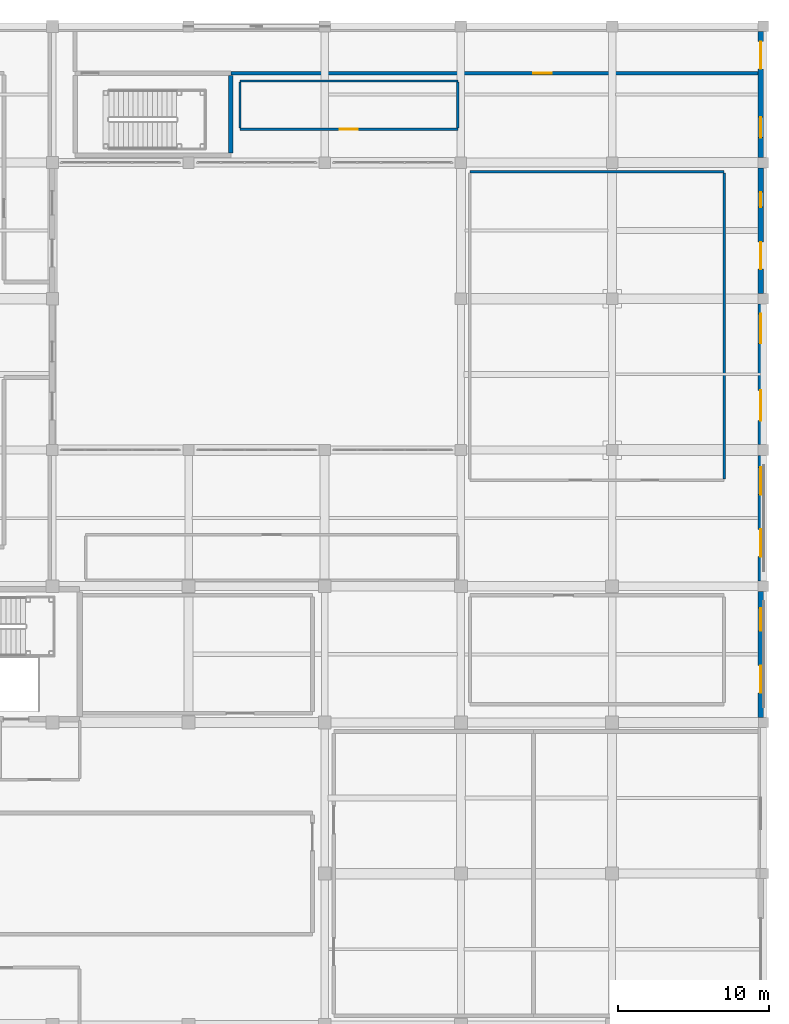
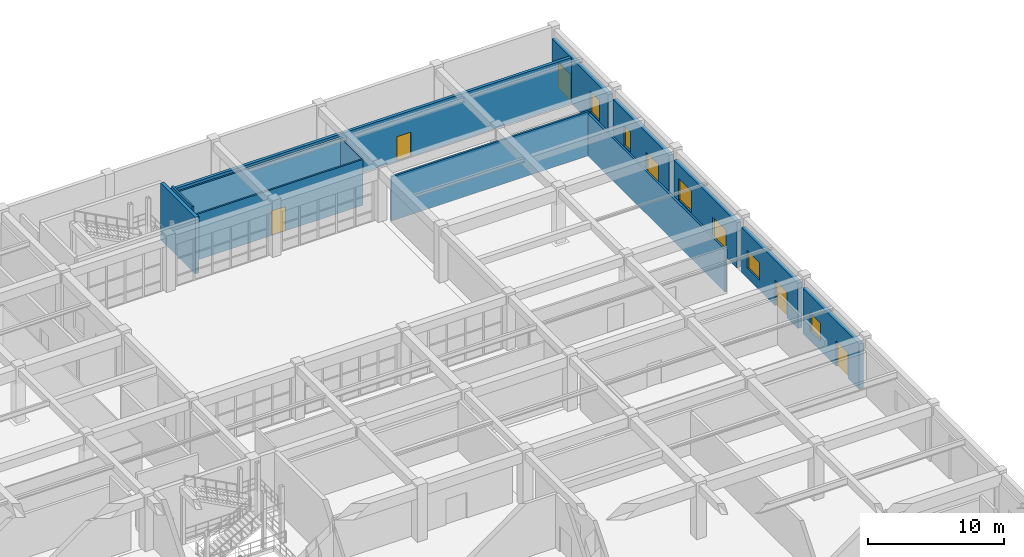
# One storey, part 113 of 128: 13 walls, 7 doors, 5 windows, 12 openings.
"""IFC4 building model written with IfcOpenShell, lengths in metres."""

from ifc_helpers import new_model, si_unit, direction, frame, frame_2d, origin, place, context, subcontext, project, spatial, rectangle, extrude, material, layer, layer_set, type_object, element, fill, save


model = new_model("IFC4")

# Units and contexts
model_context = context("Model", 3, precision=1e-05, world=origin(), true_north=direction((0.0, 1.0)))
body_context = subcontext(model_context, "Body", "Model", "MODEL_VIEW")
ifc_project = project(units=[si_unit("LENGTHUNIT", "METRE"), si_unit("AREAUNIT", "SQUARE_METRE"), si_unit("VOLUMEUNIT", "CUBIC_METRE"), si_unit("PLANEANGLEUNIT", "RADIAN"), si_unit("MASSUNIT", "GRAM", prefix="KILO")], contexts=[model_context])

# Site, building, storey
site_placement = place(None, origin())
site = spatial("IfcSite", under=ifc_project, at=site_placement, CompositionType="ELEMENT")
building_placement = place(site_placement, origin())
building = spatial("IfcBuilding", under=site, at=building_placement, Name="Miravela Opera House", CompositionType="ELEMENT")
storey_placement = place(building_placement, origin())
storey = spatial("IfcBuildingStorey", under=building, at=storey_placement, Name="L00", CompositionType="ELEMENT", Elevation=0.0)

# Wall, openings, door, window
ifc_material_1 = material(Name="Dark Guatemalan volcanic basalt stone ashlar", Category="masonry")
ifc_layer_1 = layer(ifc_material_1, 0.360107421875)
ifc_layer_set_1 = layer_set([ifc_layer_1])
wall_type_1 = type_object("IfcWallType", Name="ARC-EW-BASALT-360", PredefinedType="STANDARD", material=ifc_layer_set_1)
wall_1_placement = place(storey_placement, frame((163.820068359375, 66.324951171875, 0.0), z_axis=(0.0, 0.0, 1.0), x_axis=(0.0, 1.0, 0.0)))
wall_1 = element("IfcWall", 1, at=wall_1_placement, inside=storey, type_object=wall_type_1, Name="North Stage Street Exit Wall", PredefinedType="STANDARD", context=body_context, shape_type="SweptSolid", body=[
    extrude(rectangle(XDim=8.324951171875, YDim=0.360107421875, at=frame_2d((4.16259765625, 0.0))), origin(), (0.0, 0.0, 1.0), 4.080078125),
])
opening_1_placement = place(wall_1_placement, frame((1.625, 0.0, 0.0)))
opening_1 = element("IfcOpeningElement", 2, at=opening_1_placement, cuts=wall_1, Name="Opening EX-02", PredefinedType="OPENING", context=body_context, shape_type="SweptSolid", body=[
    extrude(rectangle(XDim=1.800048828125, YDim=2.300048828125, at=frame_2d((0.89990234375, 1.14990234375))), frame((0.0, 0.18994140625, 0.0), z_axis=(0.0, -1.0, 0.0), x_axis=(1.0, 0.0, 0.0)), (0.0, 0.0, 1.0), 0.380126953125),
])
opening_2_placement = place(wall_1_placement, frame((5.72509765625, 0.0, 0.89990234375)))
opening_2 = element("IfcOpeningElement", 3, at=opening_2_placement, cuts=wall_1, Name="Opening W-12", PredefinedType="OPENING", context=body_context, shape_type="SweptSolid", body=[
    extrude(rectangle(XDim=1.5, YDim=1.60009765625, at=frame_2d((0.75, 0.800048828125))), frame((0.0, 0.18994140625, 0.0), z_axis=(0.0, -1.0, 0.0), x_axis=(1.0, 0.0, 0.0)), (0.0, 0.0, 1.0), 0.380126953125),
])
ifc_material_2 = material(Name="Anodised architectural bronze aluminium 6063-T6", Category="aluminium")
door_type_1 = type_object("IfcDoorType", Name="ARC-EXD-1800X2300", OperationType="NOTDEFINED", PredefinedType="DOOR", material=ifc_material_2)
door_1_placement = place(opening_1_placement, frame((1.800048828125, 0.0, 0.0), z_axis=(0.0, 0.0, 1.0), x_axis=(-1.0, 0.0, 0.0)))
door_1 = element("IfcDoor", 4, at=door_1_placement, inside=storey, type_object=door_type_1, Name="North Stage Street Exit EXD-L00-014", OperationType="DOUBLE_DOOR_SINGLE_SWING", OverallHeight=2.300048828125, OverallWidth=1.800048828125, PredefinedType="DOOR", context=body_context, shape_type="SweptSolid", body=[
    extrude(rectangle(XDim=1.800048828125, YDim=2.300048828125, at=frame_2d((0.89990234375, 1.14990234375))), frame((0.0, 0.02490234375, 0.0), z_axis=(0.0, -1.0, 0.0), x_axis=(1.0, 0.0, 0.0)), (0.0, 0.0, 1.0), 0.050048828125),
])
fill(opening_1, door_1)
ifc_material_3 = material(Name="Bronze-anodised aluminium and acoustic low-E glass", Category="aluminium")
window_type_1 = type_object("IfcWindowType", Name="ARC-WIN-12", PartitioningType="DOUBLE_PANEL_VERTICAL", PredefinedType="WINDOW", material=ifc_material_3)
window_1_placement = place(opening_2_placement, origin())
window_1 = element("IfcWindow", 5, at=window_1_placement, inside=storey, type_object=window_type_1, Name="Window W-12 #009", OverallHeight=1.60009765625, OverallWidth=1.5, PartitioningType="DOUBLE_PANEL_VERTICAL", PredefinedType="WINDOW", context=body_context, shape_type="SweptSolid", body=[
    extrude(rectangle(XDim=1.5, YDim=1.60009765625, at=frame_2d((0.75, 0.800048828125))), frame((0.0, 0.030029296875, 0.0), z_axis=(0.0, -1.0, 0.0), x_axis=(1.0, 0.0, 0.0)), (0.0, 0.0, 1.0), 0.06005859375),
])
fill(opening_2, window_1)

wall_2_placement = place(storey_placement, frame((163.820068359375, 75.35009765625, 0.0), z_axis=(0.0, 0.0, 1.0), x_axis=(0.0, 1.0, 0.0)))
wall_2 = element("IfcWall", 6, at=wall_2_placement, inside=storey, type_object=wall_type_1, Name="East Rehearsal Wing Exit 1 Wall", PredefinedType="STANDARD", context=body_context, shape_type="SweptSolid", body=[
    extrude(rectangle(XDim=8.2998046875, YDim=0.360107421875, at=frame_2d((4.14990234375, 0.0))), origin(), (0.0, 0.0, 1.0), 4.080078125),
])
opening_3_placement = place(wall_2_placement, frame((1.60009765625, 0.0, 0.0)))
opening_3 = element("IfcOpeningElement", 7, at=opening_3_placement, cuts=wall_2, Name="Opening EX-02", PredefinedType="OPENING", context=body_context, shape_type="SweptSolid", body=[
    extrude(rectangle(XDim=1.800048828125, YDim=2.300048828125, at=frame_2d((0.89990234375, 1.14990234375))), frame((0.0, 0.18994140625, 0.0), z_axis=(0.0, -1.0, 0.0), x_axis=(1.0, 0.0, 0.0)), (0.0, 0.0, 1.0), 0.380126953125),
])
opening_4_placement = place(wall_2_placement, frame((5.699951171875, 0.0, 0.89990234375)))
opening_4 = element("IfcOpeningElement", 8, at=opening_4_placement, cuts=wall_2, Name="Opening W-13", PredefinedType="OPENING", context=body_context, shape_type="SweptSolid", body=[
    extrude(rectangle(XDim=1.800048828125, YDim=1.60009765625, at=frame_2d((0.89990234375, 0.800048828125))), frame((0.0, 0.18994140625, 0.0), z_axis=(0.0, -1.0, 0.0), x_axis=(1.0, 0.0, 0.0)), (0.0, 0.0, 1.0), 0.380126953125),
])
door_2_placement = place(opening_3_placement, frame((1.800048828125, 0.0, 0.0), z_axis=(0.0, 0.0, 1.0), x_axis=(-1.0, 0.0, 0.0)))
door_2 = element("IfcDoor", 9, at=door_2_placement, inside=storey, type_object=door_type_1, Name="East Rehearsal Wing Exit 1 EXD-L00-015", OperationType="DOUBLE_DOOR_SINGLE_SWING", OverallHeight=2.300048828125, OverallWidth=1.800048828125, PredefinedType="DOOR", context=body_context, shape_type="SweptSolid", body=[
    extrude(rectangle(XDim=1.800048828125, YDim=2.300048828125, at=frame_2d((0.89990234375, 1.14990234375))), frame((0.0, 0.02490234375, 0.0), z_axis=(0.0, -1.0, 0.0), x_axis=(1.0, 0.0, 0.0)), (0.0, 0.0, 1.0), 0.050048828125),
])
fill(opening_3, door_2)
window_type_2 = type_object("IfcWindowType", Name="ARC-WIN-13", PartitioningType="DOUBLE_PANEL_VERTICAL", PredefinedType="WINDOW", material=ifc_material_3)
window_2_placement = place(opening_4_placement, origin())
window_2 = element("IfcWindow", 10, at=window_2_placement, inside=storey, type_object=window_type_2, Name="Window W-13 #010", OverallHeight=1.60009765625, OverallWidth=1.800048828125, PartitioningType="DOUBLE_PANEL_VERTICAL", PredefinedType="WINDOW", context=body_context, shape_type="SweptSolid", body=[
    extrude(rectangle(XDim=1.800048828125, YDim=1.60009765625, at=frame_2d((0.89990234375, 0.800048828125))), frame((0.0, 0.030029296875, 0.0), z_axis=(0.0, -1.0, 0.0), x_axis=(1.0, 0.0, 0.0)), (0.0, 0.0, 1.0), 0.06005859375),
])
fill(opening_4, window_2)

wall_3_placement = place(storey_placement, frame((163.820068359375, 94.35009765625, 0.0), z_axis=(0.0, 0.0, 1.0), x_axis=(0.0, 1.0, 0.0)))
wall_3 = element("IfcWall", 11, at=wall_3_placement, inside=storey, type_object=wall_type_1, Name="East Rehearsal Wing Exit 2 Wall", PredefinedType="STANDARD", context=body_context, shape_type="SweptSolid", body=[
    extrude(rectangle(XDim=8.2998046875, YDim=0.360107421875, at=frame_2d((4.14990234375, 0.0))), origin(), (0.0, 0.0, 1.0), 4.080078125),
])
opening_5_placement = place(wall_3_placement, frame((1.60009765625, 0.0, 0.0)))
opening_5 = element("IfcOpeningElement", 12, at=opening_5_placement, cuts=wall_3, Name="Opening EX-02", PredefinedType="OPENING", context=body_context, shape_type="SweptSolid", body=[
    extrude(rectangle(XDim=1.800048828125, YDim=2.300048828125, at=frame_2d((0.89990234375, 1.14990234375))), frame((0.0, 0.18994140625, 0.0), z_axis=(0.0, -1.0, 0.0), x_axis=(1.0, 0.0, 0.0)), (0.0, 0.0, 1.0), 0.380126953125),
])
opening_6_placement = place(wall_3_placement, frame((5.699951171875, 0.0, 0.89990234375)))
opening_6 = element("IfcOpeningElement", 13, at=opening_6_placement, cuts=wall_3, Name="Opening W-15", PredefinedType="OPENING", context=body_context, shape_type="SweptSolid", body=[
    extrude(rectangle(XDim=1.0, YDim=1.800048828125, at=frame_2d((0.5, 0.89990234375))), frame((0.0, 0.18994140625, 0.0), z_axis=(0.0, -1.0, 0.0), x_axis=(1.0, 0.0, 0.0)), (0.0, 0.0, 1.0), 0.380126953125),
])
door_3_placement = place(opening_5_placement, frame((1.800048828125, 0.0, 0.0), z_axis=(0.0, 0.0, 1.0), x_axis=(-1.0, 0.0, 0.0)))
door_3 = element("IfcDoor", 14, at=door_3_placement, inside=storey, type_object=door_type_1, Name="East Rehearsal Wing Exit 2 EXD-L00-016", OperationType="DOUBLE_DOOR_SINGLE_SWING", OverallHeight=2.300048828125, OverallWidth=1.800048828125, PredefinedType="DOOR", context=body_context, shape_type="SweptSolid", body=[
    extrude(rectangle(XDim=1.800048828125, YDim=2.300048828125, at=frame_2d((0.89990234375, 1.14990234375))), frame((0.0, 0.02490234375, 0.0), z_axis=(0.0, -1.0, 0.0), x_axis=(1.0, 0.0, 0.0)), (0.0, 0.0, 1.0), 0.050048828125),
])
fill(opening_5, door_3)
window_type_3 = type_object("IfcWindowType", Name="ARC-WIN-15", PartitioningType="SINGLE_PANEL", PredefinedType="WINDOW", material=ifc_material_3)
window_3_placement = place(opening_6_placement, origin())
window_3 = element("IfcWindow", 15, at=window_3_placement, inside=storey, type_object=window_type_3, Name="Window W-15 #011", OverallHeight=1.800048828125, OverallWidth=1.0, PartitioningType="SINGLE_PANEL", PredefinedType="WINDOW", context=body_context, shape_type="SweptSolid", body=[
    extrude(rectangle(XDim=1.0, YDim=1.800048828125, at=frame_2d((0.5, 0.89990234375))), frame((0.0, 0.030029296875, 0.0), z_axis=(0.0, -1.0, 0.0), x_axis=(1.0, 0.0, 0.0)), (0.0, 0.0, 1.0), 0.06005859375),
])
fill(opening_6, window_3)

wall_4_placement = place(storey_placement, frame((163.820068359375, 103.35009765625, 0.0), z_axis=(0.0, 0.0, 1.0), x_axis=(0.0, 1.0, 0.0)))
wall_4 = element("IfcWall", 16, at=wall_4_placement, inside=storey, type_object=wall_type_1, Name="East Rehearsal Street Exit North Wall", PredefinedType="STANDARD", context=body_context, shape_type="SweptSolid", body=[
    extrude(rectangle(XDim=8.2998046875, YDim=0.360107421875, at=frame_2d((4.14990234375, 0.0))), origin(), (0.0, 0.0, 1.0), 4.080078125),
])
opening_7_placement = place(wall_4_placement, frame((5.85009765625, 0.0, 0.0)))
opening_7 = element("IfcOpeningElement", 17, at=opening_7_placement, cuts=wall_4, Name="Opening EX-02", PredefinedType="OPENING", context=body_context, shape_type="SweptSolid", body=[
    extrude(rectangle(XDim=1.800048828125, YDim=2.300048828125, at=frame_2d((0.89990234375, 1.14990234375))), frame((0.0, 0.18994140625, 0.0), z_axis=(0.0, -1.0, 0.0), x_axis=(1.0, 0.0, 0.0)), (0.0, 0.0, 1.0), 0.380126953125),
])
opening_8_placement = place(wall_4_placement, frame((1.300048828125, 0.0, 0.89990234375)))
opening_8 = element("IfcOpeningElement", 18, at=opening_8_placement, cuts=wall_4, Name="Opening W-16", PredefinedType="OPENING", context=body_context, shape_type="SweptSolid", body=[
    extrude(rectangle(XDim=1.35009765625, YDim=1.85009765625, at=frame_2d((0.675048828125, 0.925048828125))), frame((0.0, 0.18994140625, 0.0), z_axis=(0.0, -1.0, 0.0), x_axis=(1.0, 0.0, 0.0)), (0.0, 0.0, 1.0), 0.380126953125),
])
door_4_placement = place(opening_7_placement, frame((1.800048828125, 0.0, 0.0), z_axis=(0.0, 0.0, 1.0), x_axis=(-1.0, 0.0, 0.0)))
door_4 = element("IfcDoor", 19, at=door_4_placement, inside=storey, type_object=door_type_1, Name="East Rehearsal Street Exit North EXD-L00-017", OperationType="DOUBLE_DOOR_SINGLE_SWING", OverallHeight=2.300048828125, OverallWidth=1.800048828125, PredefinedType="DOOR", context=body_context, shape_type="SweptSolid", body=[
    extrude(rectangle(XDim=1.800048828125, YDim=2.300048828125, at=frame_2d((0.89990234375, 1.14990234375))), frame((0.0, 0.02490234375, 0.0), z_axis=(0.0, -1.0, 0.0), x_axis=(1.0, 0.0, 0.0)), (0.0, 0.0, 1.0), 0.050048828125),
])
fill(opening_7, door_4)
window_type_4 = type_object("IfcWindowType", Name="ARC-WIN-16", PartitioningType="SINGLE_PANEL", PredefinedType="WINDOW", material=ifc_material_3)
window_4_placement = place(opening_8_placement, origin())
window_4 = element("IfcWindow", 20, at=window_4_placement, inside=storey, type_object=window_type_4, Name="Window W-16 #012", OverallHeight=1.85009765625, OverallWidth=1.35009765625, PartitioningType="SINGLE_PANEL", PredefinedType="WINDOW", context=body_context, shape_type="SweptSolid", body=[
    extrude(rectangle(XDim=1.35009765625, YDim=1.85009765625, at=frame_2d((0.675048828125, 0.925048828125))), frame((0.0, 0.030029296875, 0.0), z_axis=(0.0, -1.0, 0.0), x_axis=(1.0, 0.0, 0.0)), (0.0, 0.0, 1.0), 0.06005859375),
])
fill(opening_8, window_4)

wall_5_placement = place(storey_placement, frame((163.820068359375, 84.35009765625, 0.0), z_axis=(0.0, 0.0, 1.0), x_axis=(0.0, 1.0, 0.0)))
wall_5 = element("IfcWall", 21, at=wall_5_placement, inside=storey, type_object=wall_type_1, Name="East Artist Lounge Street Exit Wall", PredefinedType="STANDARD", context=body_context, shape_type="SweptSolid", body=[
    extrude(rectangle(XDim=9.2998046875, YDim=0.360107421875, at=frame_2d((4.64990234375, 0.0))), origin(), (0.0, 0.0, 1.0), 4.080078125),
])
opening_9_placement = place(wall_5_placement, frame((1.60009765625, 0.0, 0.0)))
opening_9 = element("IfcOpeningElement", 22, at=opening_9_placement, cuts=wall_5, Name="Opening EX-01", PredefinedType="OPENING", context=body_context, shape_type="SweptSolid", body=[
    extrude(rectangle(XDim=2.0, YDim=2.39990234375, at=frame_2d((1.0, 1.199951171875))), frame((0.0, 0.18994140625, 0.0), z_axis=(0.0, -1.0, 0.0), x_axis=(1.0, 0.0, 0.0)), (0.0, 0.0, 1.0), 0.380126953125),
])
opening_10_placement = place(wall_5_placement, frame((6.699951171875, 0.0, 0.89990234375)))
opening_10 = element("IfcOpeningElement", 23, at=opening_10_placement, cuts=wall_5, Name="Opening W-18", PredefinedType="OPENING", context=body_context, shape_type="SweptSolid", body=[
    extrude(rectangle(XDim=1.949951171875, YDim=1.949951171875, at=frame_2d((0.97509765625, 0.97509765625))), frame((0.0, 0.18994140625, 0.0), z_axis=(0.0, -1.0, 0.0), x_axis=(1.0, 0.0, 0.0)), (0.0, 0.0, 1.0), 0.380126953125),
])
door_type_2 = type_object("IfcDoorType", Name="ARC-EXD-2000X2400", OperationType="NOTDEFINED", PredefinedType="DOOR", material=ifc_material_2)
door_5_placement = place(opening_9_placement, frame((2.0, 0.0, 0.0), z_axis=(0.0, 0.0, 1.0), x_axis=(-1.0, 0.0, 0.0)))
door_5 = element("IfcDoor", 24, at=door_5_placement, inside=storey, type_object=door_type_2, Name="East Artist Lounge Street Exit EXD-L00-019", OperationType="DOUBLE_DOOR_SINGLE_SWING", OverallHeight=2.39990234375, OverallWidth=2.0, PredefinedType="DOOR", context=body_context, shape_type="SweptSolid", body=[
    extrude(rectangle(XDim=2.0, YDim=2.39990234375, at=frame_2d((1.0, 1.199951171875))), frame((0.0, 0.02490234375, 0.0), z_axis=(0.0, -1.0, 0.0), x_axis=(1.0, 0.0, 0.0)), (0.0, 0.0, 1.0), 0.050048828125),
])
fill(opening_9, door_5)
window_type_5 = type_object("IfcWindowType", Name="ARC-WIN-18", PartitioningType="DOUBLE_PANEL_VERTICAL", PredefinedType="WINDOW", material=ifc_material_3)
window_5_placement = place(opening_10_placement, origin())
window_5 = element("IfcWindow", 25, at=window_5_placement, inside=storey, type_object=window_type_5, Name="Window W-18 #014", OverallHeight=1.949951171875, OverallWidth=1.949951171875, PartitioningType="DOUBLE_PANEL_VERTICAL", PredefinedType="WINDOW", context=body_context, shape_type="SweptSolid", body=[
    extrude(rectangle(XDim=1.949951171875, YDim=1.949951171875, at=frame_2d((0.97509765625, 0.97509765625))), frame((0.0, 0.030029296875, 0.0), z_axis=(0.0, -1.0, 0.0), x_axis=(1.0, 0.0, 0.0)), (0.0, 0.0, 1.0), 0.06005859375),
])
fill(opening_10, window_5)

# Wall, opening, door
ifc_material_4 = material(Name="Studio double-stud acoustic partition")
ifc_layer_2 = layer(ifc_material_4, 0.14990234375)
ifc_layer_set_2 = layer_set([ifc_layer_2])
wall_type_2 = type_object("IfcWallType", Name="ARC-PT-145", PredefinedType="PARTITIONING", material=ifc_layer_set_2)
wall_6_placement = place(storey_placement, frame((129.39990234375, 105.199951171875, 0.0), z_axis=(0.0, 0.0, 1.0), x_axis=(1.0, 0.0, 0.0)))
wall_6 = element("IfcWall", 26, at=wall_6_placement, inside=storey, type_object=wall_type_2, Name="Community Opera Education Studio 1 Partition South", PredefinedType="PARTITIONING", context=body_context, shape_type="SweptSolid", body=[
    extrude(rectangle(XDim=14.400146484375, YDim=0.14990234375, at=frame_2d((7.2001953125, 0.0))), origin(), (0.0, 0.0, 1.0), 4.1298828125),
])
opening_11_placement = place(wall_6_placement, frame((6.60009765625, 0.0, 0.0)))
opening_11 = element("IfcOpeningElement", 27, at=opening_11_placement, cuts=wall_6, Name="Opening ID-04", PredefinedType="OPENING", context=body_context, shape_type="SweptSolid", body=[
    extrude(rectangle(XDim=1.199951171875, YDim=2.199951171875, at=frame_2d((0.60009765625, 1.10009765625))), frame((0.0, 0.0849609375, 0.0), z_axis=(0.0, -1.0, 0.0), x_axis=(1.0, 0.0, 0.0)), (0.0, 0.0, 1.0), 0.169921875),
])
ifc_material_5 = material(Name="Wide acoustic ensemble door")
door_type_3 = type_object("IfcDoorType", Name="ARC-DR-1200X2200", OperationType="NOTDEFINED", PredefinedType="DOOR", material=ifc_material_5)
door_6_placement = place(opening_11_placement, origin())
door_6 = element("IfcDoor", 28, at=door_6_placement, inside=storey, type_object=door_type_3, Name="Community Opera Education Studio 1 Entry Door IDR-L00-0119", OperationType="SINGLE_SWING_RIGHT", OverallHeight=2.199951171875, OverallWidth=1.199951171875, PredefinedType="DOOR", context=body_context, shape_type="SweptSolid", body=[
    extrude(rectangle(XDim=1.199951171875, YDim=2.199951171875, at=frame_2d((0.60009765625, 1.10009765625))), frame((0.0, 0.02490234375, 0.0), z_axis=(0.0, -1.0, 0.0), x_axis=(1.0, 0.0, 0.0)), (0.0, 0.0, 1.0), 0.050048828125),
])
fill(opening_11, door_6)

# Walls
wall_7_placement = place(storey_placement, frame((129.39990234375, 108.39990234375, 0.0), z_axis=(0.0, 0.0, 1.0), x_axis=(1.0, 0.0, 0.0)))
element("IfcWall", 29, at=wall_7_placement, inside=storey, type_object=wall_type_2, Name="Community Opera Education Studio 1 Partition North", PredefinedType="PARTITIONING", context=body_context, shape_type="SweptSolid", body=[
    extrude(rectangle(XDim=14.400146484375, YDim=0.14990234375, at=frame_2d((7.2001953125, 0.0))), origin(), (0.0, 0.0, 1.0), 4.1298828125),
])
wall_8_placement = place(storey_placement, frame((129.39990234375, 105.27490234375, 0.0), z_axis=(0.0, 0.0, 1.0), x_axis=(0.0, 1.0, 0.0)))
element("IfcWall", 30, at=wall_8_placement, inside=storey, type_object=wall_type_2, Name="Community Opera Education Studio 1 Partition West", PredefinedType="PARTITIONING", context=body_context, shape_type="SweptSolid", body=[
    extrude(rectangle(XDim=3.050048828125, YDim=0.14990234375, at=frame_2d((1.52490234375, 0.0))), origin(), (0.0, 0.0, 1.0), 4.85009765625),
])
wall_9_placement = place(storey_placement, frame((143.800048828125, 105.27490234375, 0.0), z_axis=(0.0, 0.0, 1.0), x_axis=(0.0, 1.0, 0.0)))
element("IfcWall", 31, at=wall_9_placement, inside=storey, type_object=wall_type_2, Name="Community Opera Education Studio 1 Partition East", PredefinedType="PARTITIONING", context=body_context, shape_type="SweptSolid", body=[
    extrude(rectangle(XDim=3.050048828125, YDim=0.14990234375, at=frame_2d((1.52490234375, 0.0))), origin(), (0.0, 0.0, 1.0), 4.1298828125),
])
ifc_material_6 = material(Name="Rehearsal isolated acoustic partition")
ifc_layer_3 = layer(ifc_material_6, 0.169921875)
ifc_layer_set_3 = layer_set([ifc_layer_3])
wall_type_3 = type_object("IfcWallType", Name="ARC-PT-170", PredefinedType="PARTITIONING", material=ifc_layer_set_3)
wall_10_placement = place(storey_placement, frame((144.60009765625, 102.39990234375, 0.0), z_axis=(0.0, 0.0, 1.0), x_axis=(1.0, 0.0, 0.0)))
element("IfcWall", 32, at=wall_10_placement, inside=storey, type_object=wall_type_3, Name="Artist Lounge and Canteen Partition North", PredefinedType="PARTITIONING", context=body_context, shape_type="SweptSolid", body=[
    extrude(rectangle(XDim=16.7998046875, YDim=0.169921875, at=frame_2d((8.39990234375, 0.0))), origin(), (0.0, 0.0, 1.0), 3.97998046875),
])
wall_11_placement = place(storey_placement, frame((161.39990234375, 82.0849609375, 0.0), z_axis=(0.0, 0.0, 1.0), x_axis=(0.0, 1.0, 0.0)))
element("IfcWall", 33, at=wall_11_placement, inside=storey, type_object=wall_type_3, Name="Artist Lounge and Canteen Partition East", PredefinedType="PARTITIONING", context=body_context, shape_type="SweptSolid", body=[
    extrude(rectangle(XDim=20.22998046875, YDim=0.169921875, at=frame_2d((10.114990234375, 0.0))), origin(), (0.0, 0.0, 1.0), 3.830078125),
])

# Wall, opening, door
ifc_material_7 = material(Name="Firefighting lobby compartment wall")
ifc_layer_4 = layer(ifc_material_7, 0.25)
ifc_layer_set_4 = layer_set([ifc_layer_4])
wall_type_4 = type_object("IfcWallType", Name="ARC-PT-220", PredefinedType="PARTITIONING", material=ifc_layer_set_4)
wall_12_placement = place(storey_placement, frame((128.800048828125, 108.89990234375, 0.0), z_axis=(0.0, 0.0, 1.0), x_axis=(1.0, 0.0, 0.0)))
wall_12 = element("IfcWall", 34, at=wall_12_placement, inside=storey, type_object=wall_type_4, Name="Protected Exit Passageway ST-09 Partition Seg2", PredefinedType="PARTITIONING", context=body_context, shape_type="SweptSolid", body=[
    extrude(rectangle(XDim=34.83984375, YDim=0.25, at=frame_2d((17.419921875, 0.0))), origin(), (0.0, 0.0, 1.0), 4.1298828125),
])
opening_12_placement = place(wall_12_placement, frame((20.0, 0.0, 0.0)))
opening_12 = element("IfcOpeningElement", 35, at=opening_12_placement, cuts=wall_12, Name="Opening FD-02", PredefinedType="OPENING", context=body_context, shape_type="SweptSolid", body=[
    extrude(rectangle(XDim=1.199951171875, YDim=2.199951171875, at=frame_2d((0.60009765625, 1.10009765625))), frame((0.0, 0.135009765625, 0.0), z_axis=(0.0, -1.0, 0.0), x_axis=(1.0, 0.0, 0.0)), (0.0, 0.0, 1.0), 0.27001953125),
])
ifc_material_8 = material(Name="Fire-rated gallery/plant exit door")
door_type_4 = type_object("IfcDoorType", Name="ARC-FD-1200X2200", OperationType="NOTDEFINED", PredefinedType="DOOR", material=ifc_material_8)
door_7_placement = place(opening_12_placement, frame((1.199951171875, 0.0, 0.0), z_axis=(0.0, 0.0, 1.0), x_axis=(-1.0, 0.0, 0.0)))
door_7 = element("IfcDoor", 36, at=door_7_placement, inside=storey, type_object=door_type_4, Name="Protected Exit Passageway ST-09 Concourse Fire Door IDR-L00-0149", OperationType="SINGLE_SWING_LEFT", OverallHeight=2.199951171875, OverallWidth=1.199951171875, PredefinedType="DOOR", context=body_context, shape_type="SweptSolid", body=[
    extrude(rectangle(XDim=1.199951171875, YDim=2.199951171875, at=frame_2d((0.60009765625, 1.10009765625))), frame((0.0, 0.02490234375, 0.0), z_axis=(0.0, -1.0, 0.0), x_axis=(1.0, 0.0, 0.0)), (0.0, 0.0, 1.0), 0.050048828125),
])
fill(opening_12, door_7)

# Wall
ifc_material_9 = material(Name="Concrete C35/45", Category="concrete")
ifc_layer_5 = layer(ifc_material_9, 0.300048828125)
ifc_layer_set_5 = layer_set([ifc_layer_5])
wall_type_5 = type_object("IfcWallType", Name="STR-WALL-WING-300", PredefinedType="SHEAR", material=ifc_layer_set_5)
wall_13_placement = place(storey_placement, frame((128.800048828125, 103.64990234375, 0.0), z_axis=(0.0, 0.0, 1.0), x_axis=(0.0, 1.0, 0.0)))
element("IfcWall", 37, at=wall_13_placement, inside=storey, type_object=wall_type_5, Name="Core ST-09 Shear Wall East (L00)", PredefinedType="SHEAR", context=body_context, shape_type="SweptSolid", body=[
    extrude(rectangle(XDim=5.10009765625, YDim=0.300048828125, at=frame_2d((2.550048828125, 0.0))), origin(), (0.0, 0.0, 1.0), 5.10009765625),
])

save(model, "model.ifc")
